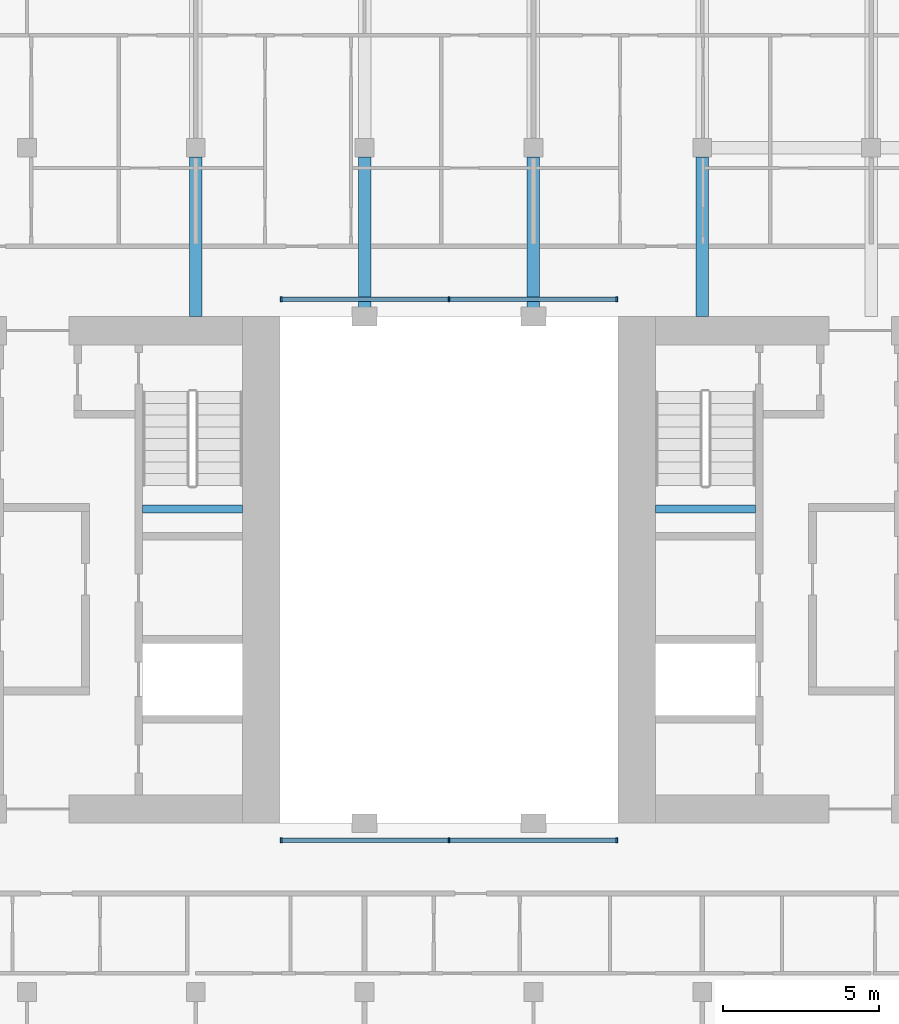
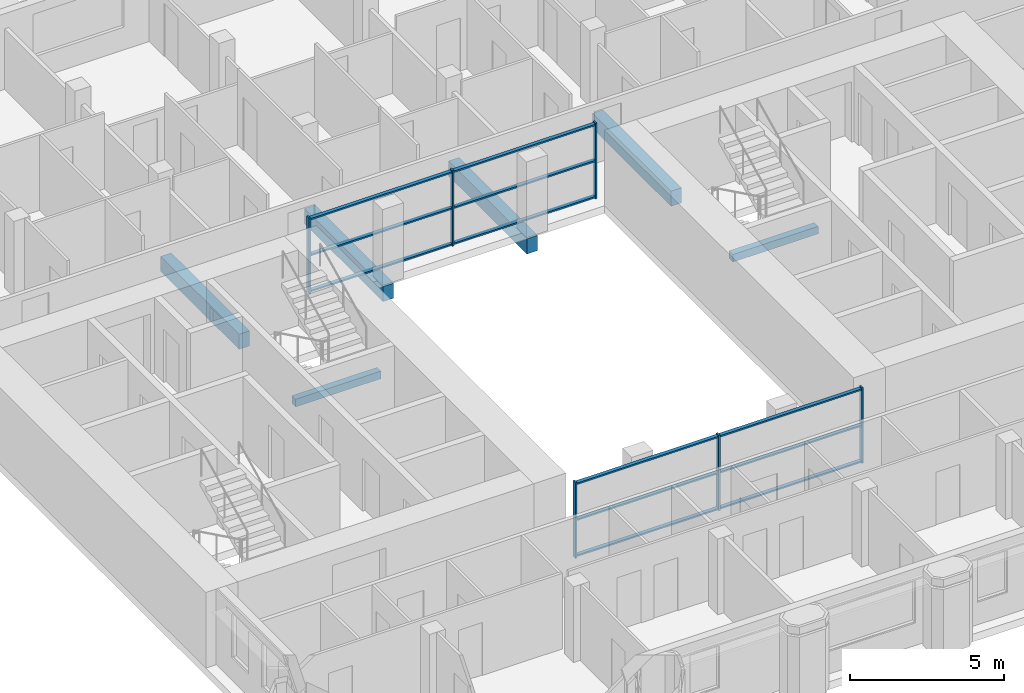
# One storey, part 2 of 13: 18 members, 6 beams, 2 elements without a shape of their own.
"""IFC4 building model written with IfcOpenShell, lengths in metres."""

from ifc_helpers import new_model, si_unit, direction, frame, origin, origin_2d, place, context, subcontext, project, spatial, rectangle, extrude, material, material_profile, profile_set, type_object, element, aggregate, save


model = new_model("IFC4")

# Units and contexts
model_context = context("Model", 3, precision=1e-05, world=origin(), true_north=direction((0.0, 1.0)))
body_context = subcontext(model_context, "Body", "Model", "MODEL_VIEW")
ifc_project = project(units=[si_unit("LENGTHUNIT", "METRE"), si_unit("AREAUNIT", "SQUARE_METRE"), si_unit("VOLUMEUNIT", "CUBIC_METRE"), si_unit("PLANEANGLEUNIT", "RADIAN"), si_unit("MASSUNIT", "GRAM", prefix="KILO")], contexts=[model_context])

# Site, building, storey
site_placement = place(None, origin())
site = spatial("IfcSite", under=ifc_project, at=site_placement, CompositionType="ELEMENT")
building_placement = place(site_placement, origin())
building = spatial("IfcBuilding", under=site, at=building_placement, Name="Tabaq Tower and Sports Hall", CompositionType="ELEMENT")
storey_placement = place(building_placement, frame((0.0, 0.0, 295.0)))
storey = spatial("IfcBuildingStorey", under=building, at=storey_placement, Name="L73", CompositionType="ELEMENT", Elevation=295.0)

# Curtain wall, members
ifc_material_1 = material(Name="Aluminium alloy 6063-T6 framed glazing", Category="aluminium")
curtain_wall_type = type_object("IfcCurtainWallType", Name="CW1 curtain wall", PredefinedType="USERDEFINED", material=ifc_material_1)
curtain_wall_1_placement = place(storey_placement, origin())
curtain_wall_1 = element("IfcCurtainWall", 1, at=curtain_wall_1_placement, inside=storey, type_object=curtain_wall_type, Name="Atrium glazing L73 S", ObjectType="ATRIUM ENCLOSURE", PredefinedType="USERDEFINED")
ifc_material_2 = material(Name="Aluminium alloy 6063-T6", Category="aluminium")
ifc_material_profile_1 = material_profile(ifc_material_2, rectangle(XDim=0.159912109375, YDim=0.06005859375, at=origin_2d()), Name="MULLION 160x60")
ifc_profile_set_1 = profile_set([ifc_material_profile_1], Name="Aluminium alloy 6063-T6")
member_type_1 = type_object("IfcMemberType", Name="CW1 mullion 160x60", PredefinedType="MULLION", material=ifc_profile_set_1)
member_1_placement = place(storey_placement, frame((18.929931640625, 15.64990234375, 0.0), z_axis=(0.0, 0.0, 1.0), x_axis=(0.0, 1.0, 0.0)))
member_1 = element("IfcMember", 2, at=member_1_placement, type_object=member_type_1, Name="CW1 mullion 1", PredefinedType="MULLION", context=body_context, shape_type="SweptSolid", body=[
    extrude(rectangle(XDim=0.159912109375, YDim=0.06005859375, at=origin_2d()), origin(), (0.0, 0.0, 1.0), 3.0),
])
member_2_placement = place(storey_placement, frame((24.300048828125, 15.64990234375, 0.0), z_axis=(0.0, 0.0, 1.0), x_axis=(0.0, 1.0, 0.0)))
member_2 = element("IfcMember", 3, at=member_2_placement, type_object=member_type_1, Name="CW1 mullion 2", PredefinedType="MULLION", context=body_context, shape_type="SweptSolid", body=[
    extrude(rectangle(XDim=0.159912109375, YDim=0.06005859375, at=origin_2d()), origin(), (0.0, 0.0, 1.0), 3.0),
])
member_3_placement = place(storey_placement, frame((29.669921875, 15.64990234375, 0.0), z_axis=(0.0, 0.0, 1.0), x_axis=(0.0, 1.0, 0.0)))
member_3 = element("IfcMember", 4, at=member_3_placement, type_object=member_type_1, Name="CW1 mullion 3", PredefinedType="MULLION", context=body_context, shape_type="SweptSolid", body=[
    extrude(rectangle(XDim=0.159912109375, YDim=0.06005859375, at=origin_2d()), origin(), (0.0, 0.0, 1.0), 3.0),
])

curtain_wall_2_placement = place(storey_placement, origin())
curtain_wall_2 = element("IfcCurtainWall", 5, at=curtain_wall_2_placement, inside=storey, type_object=curtain_wall_type, Name="Atrium glazing L73 N", ObjectType="ATRIUM ENCLOSURE", PredefinedType="USERDEFINED")
member_4_placement = place(storey_placement, frame((18.929931640625, 32.949951171875, 0.0), z_axis=(0.0, 0.0, 1.0), x_axis=(0.0, 1.0, 0.0)))
member_4 = element("IfcMember", 6, at=member_4_placement, type_object=member_type_1, Name="CW1 mullion 1", PredefinedType="MULLION", context=body_context, shape_type="SweptSolid", body=[
    extrude(rectangle(XDim=0.159912109375, YDim=0.06005859375, at=origin_2d()), origin(), (0.0, 0.0, 1.0), 3.0),
])
member_5_placement = place(storey_placement, frame((24.300048828125, 32.949951171875, 0.0), z_axis=(0.0, 0.0, 1.0), x_axis=(0.0, 1.0, 0.0)))
member_5 = element("IfcMember", 7, at=member_5_placement, type_object=member_type_1, Name="CW1 mullion 2", PredefinedType="MULLION", context=body_context, shape_type="SweptSolid", body=[
    extrude(rectangle(XDim=0.159912109375, YDim=0.06005859375, at=origin_2d()), origin(), (0.0, 0.0, 1.0), 3.0),
])
member_6_placement = place(storey_placement, frame((29.669921875, 32.949951171875, 0.0), z_axis=(0.0, 0.0, 1.0), x_axis=(0.0, 1.0, 0.0)))
member_6 = element("IfcMember", 8, at=member_6_placement, type_object=member_type_1, Name="CW1 mullion 3", PredefinedType="MULLION", context=body_context, shape_type="SweptSolid", body=[
    extrude(rectangle(XDim=0.159912109375, YDim=0.06005859375, at=origin_2d()), origin(), (0.0, 0.0, 1.0), 3.0),
])

# Member
ifc_material_3 = material(Name="Aluminium alloy 6063-T6", Category="aluminium")
ifc_material_profile_2 = material_profile(ifc_material_3, rectangle(XDim=0.139892578125, YDim=0.06005859375, at=origin_2d()), Name="TRANSOM 140x60")
ifc_profile_set_2 = profile_set([ifc_material_profile_2], Name="Aluminium alloy 6063-T6")
member_type_2 = type_object("IfcMemberType", Name="CW1 transom 140x60", PredefinedType="USERDEFINED", material=ifc_profile_set_2)
member_7_placement = place(storey_placement, frame((18.9599609375, 15.64990234375, 0.070068359375), z_axis=(1.0, 0.0, 0.0), x_axis=(0.0, 1.0, 0.0)))
member_7 = element("IfcMember", 9, at=member_7_placement, type_object=member_type_2, Name="CW1 transom 1.1", ObjectType="TRANSOM", PredefinedType="USERDEFINED", context=body_context, shape_type="SweptSolid", body=[
    extrude(rectangle(XDim=0.139892578125, YDim=0.06005859375, at=origin_2d()), origin(), (0.0, 0.0, 1.0), 5.31005859375),
])

member_8_placement = place(storey_placement, frame((18.9599609375, 15.64990234375, 1.5), z_axis=(1.0, 0.0, 0.0), x_axis=(0.0, 1.0, 0.0)))
member_8 = element("IfcMember", 10, at=member_8_placement, type_object=member_type_2, Name="CW1 transom 1.2", ObjectType="TRANSOM", PredefinedType="USERDEFINED", context=body_context, shape_type="SweptSolid", body=[
    extrude(rectangle(XDim=0.139892578125, YDim=0.06005859375, at=origin_2d()), origin(), (0.0, 0.0, 1.0), 5.31005859375),
])

member_9_placement = place(storey_placement, frame((18.9599609375, 15.64990234375, 2.929931640625), z_axis=(1.0, 0.0, 0.0), x_axis=(0.0, 1.0, 0.0)))
member_9 = element("IfcMember", 11, at=member_9_placement, type_object=member_type_2, Name="CW1 transom 1.3", ObjectType="TRANSOM", PredefinedType="USERDEFINED", context=body_context, shape_type="SweptSolid", body=[
    extrude(rectangle(XDim=0.139892578125, YDim=0.06005859375, at=origin_2d()), origin(), (0.0, 0.0, 1.0), 5.31005859375),
])

member_10_placement = place(storey_placement, frame((24.330078125, 15.64990234375, 0.070068359375), z_axis=(1.0, 0.0, 0.0), x_axis=(0.0, 1.0, 0.0)))
member_10 = element("IfcMember", 12, at=member_10_placement, type_object=member_type_2, Name="CW1 transom 2.1", ObjectType="TRANSOM", PredefinedType="USERDEFINED", context=body_context, shape_type="SweptSolid", body=[
    extrude(rectangle(XDim=0.139892578125, YDim=0.06005859375, at=origin_2d()), origin(), (0.0, 0.0, 1.0), 5.309814453125),
])

member_11_placement = place(storey_placement, frame((24.330078125, 15.64990234375, 1.5), z_axis=(1.0, 0.0, 0.0), x_axis=(0.0, 1.0, 0.0)))
member_11 = element("IfcMember", 13, at=member_11_placement, type_object=member_type_2, Name="CW1 transom 2.2", ObjectType="TRANSOM", PredefinedType="USERDEFINED", context=body_context, shape_type="SweptSolid", body=[
    extrude(rectangle(XDim=0.139892578125, YDim=0.06005859375, at=origin_2d()), origin(), (0.0, 0.0, 1.0), 5.309814453125),
])

member_12_placement = place(storey_placement, frame((24.330078125, 15.64990234375, 2.929931640625), z_axis=(1.0, 0.0, 0.0), x_axis=(0.0, 1.0, 0.0)))
member_12 = element("IfcMember", 14, at=member_12_placement, type_object=member_type_2, Name="CW1 transom 2.3", ObjectType="TRANSOM", PredefinedType="USERDEFINED", context=body_context, shape_type="SweptSolid", body=[
    extrude(rectangle(XDim=0.139892578125, YDim=0.06005859375, at=origin_2d()), origin(), (0.0, 0.0, 1.0), 5.309814453125),
])

aggregate(curtain_wall_1, [member_1, member_2, member_3, member_7, member_8, member_9, member_10, member_11, member_12])

member_13_placement = place(storey_placement, frame((18.9599609375, 32.949951171875, 0.070068359375), z_axis=(1.0, 0.0, 0.0), x_axis=(0.0, 1.0, 0.0)))
member_13 = element("IfcMember", 15, at=member_13_placement, type_object=member_type_2, Name="CW1 transom 1.1", ObjectType="TRANSOM", PredefinedType="USERDEFINED", context=body_context, shape_type="SweptSolid", body=[
    extrude(rectangle(XDim=0.139892578125, YDim=0.06005859375, at=origin_2d()), origin(), (0.0, 0.0, 1.0), 5.31005859375),
])

member_14_placement = place(storey_placement, frame((18.9599609375, 32.949951171875, 1.5), z_axis=(1.0, 0.0, 0.0), x_axis=(0.0, 1.0, 0.0)))
member_14 = element("IfcMember", 16, at=member_14_placement, type_object=member_type_2, Name="CW1 transom 1.2", ObjectType="TRANSOM", PredefinedType="USERDEFINED", context=body_context, shape_type="SweptSolid", body=[
    extrude(rectangle(XDim=0.139892578125, YDim=0.06005859375, at=origin_2d()), origin(), (0.0, 0.0, 1.0), 5.31005859375),
])

member_15_placement = place(storey_placement, frame((18.9599609375, 32.949951171875, 2.929931640625), z_axis=(1.0, 0.0, 0.0), x_axis=(0.0, 1.0, 0.0)))
member_15 = element("IfcMember", 17, at=member_15_placement, type_object=member_type_2, Name="CW1 transom 1.3", ObjectType="TRANSOM", PredefinedType="USERDEFINED", context=body_context, shape_type="SweptSolid", body=[
    extrude(rectangle(XDim=0.139892578125, YDim=0.06005859375, at=origin_2d()), origin(), (0.0, 0.0, 1.0), 5.31005859375),
])

member_16_placement = place(storey_placement, frame((24.330078125, 32.949951171875, 0.070068359375), z_axis=(1.0, 0.0, 0.0), x_axis=(0.0, 1.0, 0.0)))
member_16 = element("IfcMember", 18, at=member_16_placement, type_object=member_type_2, Name="CW1 transom 2.1", ObjectType="TRANSOM", PredefinedType="USERDEFINED", context=body_context, shape_type="SweptSolid", body=[
    extrude(rectangle(XDim=0.139892578125, YDim=0.06005859375, at=origin_2d()), origin(), (0.0, 0.0, 1.0), 5.309814453125),
])

member_17_placement = place(storey_placement, frame((24.330078125, 32.949951171875, 1.5), z_axis=(1.0, 0.0, 0.0), x_axis=(0.0, 1.0, 0.0)))
member_17 = element("IfcMember", 19, at=member_17_placement, type_object=member_type_2, Name="CW1 transom 2.2", ObjectType="TRANSOM", PredefinedType="USERDEFINED", context=body_context, shape_type="SweptSolid", body=[
    extrude(rectangle(XDim=0.139892578125, YDim=0.06005859375, at=origin_2d()), origin(), (0.0, 0.0, 1.0), 5.309814453125),
])

member_18_placement = place(storey_placement, frame((24.330078125, 32.949951171875, 2.929931640625), z_axis=(1.0, 0.0, 0.0), x_axis=(0.0, 1.0, 0.0)))
member_18 = element("IfcMember", 20, at=member_18_placement, type_object=member_type_2, Name="CW1 transom 2.3", ObjectType="TRANSOM", PredefinedType="USERDEFINED", context=body_context, shape_type="SweptSolid", body=[
    extrude(rectangle(XDim=0.139892578125, YDim=0.06005859375, at=origin_2d()), origin(), (0.0, 0.0, 1.0), 5.309814453125),
])

aggregate(curtain_wall_2, [member_4, member_5, member_6, member_13, member_14, member_15, member_16, member_17, member_18])

# Beams
ifc_material_4 = material(Name="Concrete C40/50", Category="concrete")
ifc_material_profile_3 = material_profile(ifc_material_4, rectangle(XDim=0.39990234375, YDim=0.60009765625, at=origin_2d()), Name="CB 400x600")
ifc_profile_set_3 = profile_set([ifc_material_profile_3], Name="Concrete C40/50")
beam_type_1 = type_object("IfcBeamType", Name="PT CANTILEVER BEAM CB 400x600 C40/50", PredefinedType="BEAM", material=ifc_profile_set_3)
for number, where, z_axis, x_axis, name in (
    (21, (16.199951171875, 37.5, -0.60009765625), (0.0, -1.0, 0.0), (1.0, 0.0, 0.0), "Cantilever Beam L73 N3 span 3"),
    (22, (21.60009765625, 37.5, -0.60009765625), (0.0, -1.0, 0.0), (1.0, 0.0, 0.0), "Cantilever Beam L73 N4 span 3"),
    (23, (27.0, 37.5, -0.60009765625), (0.0, -1.0, 0.0), (1.0, 0.0, 0.0), "Cantilever Beam L73 N5 span 3"),
    (24, (32.39990234375, 37.5, -0.60009765625), (0.0, -1.0, 0.0), (1.0, 0.0, 0.0), "Cantilever Beam L73 N6 span 3"),
):
    element("IfcBeam", number, at=place(storey_placement, frame(where, z_axis=z_axis, x_axis=x_axis)), inside=storey, type_object=beam_type_1, Name=name, PredefinedType="BEAM", context=body_context, shape_type="SweptSolid", body=[
        extrude(rectangle(XDim=0.39990234375, YDim=0.60009765625, at=origin_2d()), origin(), (0.0, 0.0, 1.0), 5.10009765625),
    ])
ifc_material_5 = material(Name="Concrete C40/50", Category="concrete")
ifc_material_profile_4 = material_profile(ifc_material_5, rectangle(XDim=0.25, YDim=0.300048828125, at=origin_2d()), Name="RC 250x300")
ifc_profile_set_4 = profile_set([ifc_material_profile_4], Name="Concrete C40/50")
beam_type_2 = type_object("IfcBeamType", Name="Stair landing beam 250x300", PredefinedType="BEAM", material=ifc_profile_set_4)
beam_1_placement = place(storey_placement, frame((14.5, 26.25, 1.300048828125), z_axis=(1.0, 0.0, 0.0), x_axis=(0.0, 1.0, 0.0)))
element("IfcBeam", 25, at=beam_1_placement, inside=storey, type_object=beam_type_2, Name="L73 ST2 landing beam 1", PredefinedType="BEAM", context=body_context, shape_type="SweptSolid", body=[
    extrude(rectangle(XDim=0.25, YDim=0.300048828125, at=origin_2d()), origin(), (0.0, 0.0, 1.0), 3.199951171875),
])
beam_2_placement = place(storey_placement, frame((30.89990234375, 26.25, 1.300048828125), z_axis=(1.0, 0.0, 0.0), x_axis=(0.0, 1.0, 0.0)))
element("IfcBeam", 26, at=beam_2_placement, inside=storey, type_object=beam_type_2, Name="L73 ST4 landing beam 1", PredefinedType="BEAM", context=body_context, shape_type="SweptSolid", body=[
    extrude(rectangle(XDim=0.25, YDim=0.300048828125, at=origin_2d()), origin(), (0.0, 0.0, 1.0), 3.2001953125),
])

save(model, "model.ifc")
